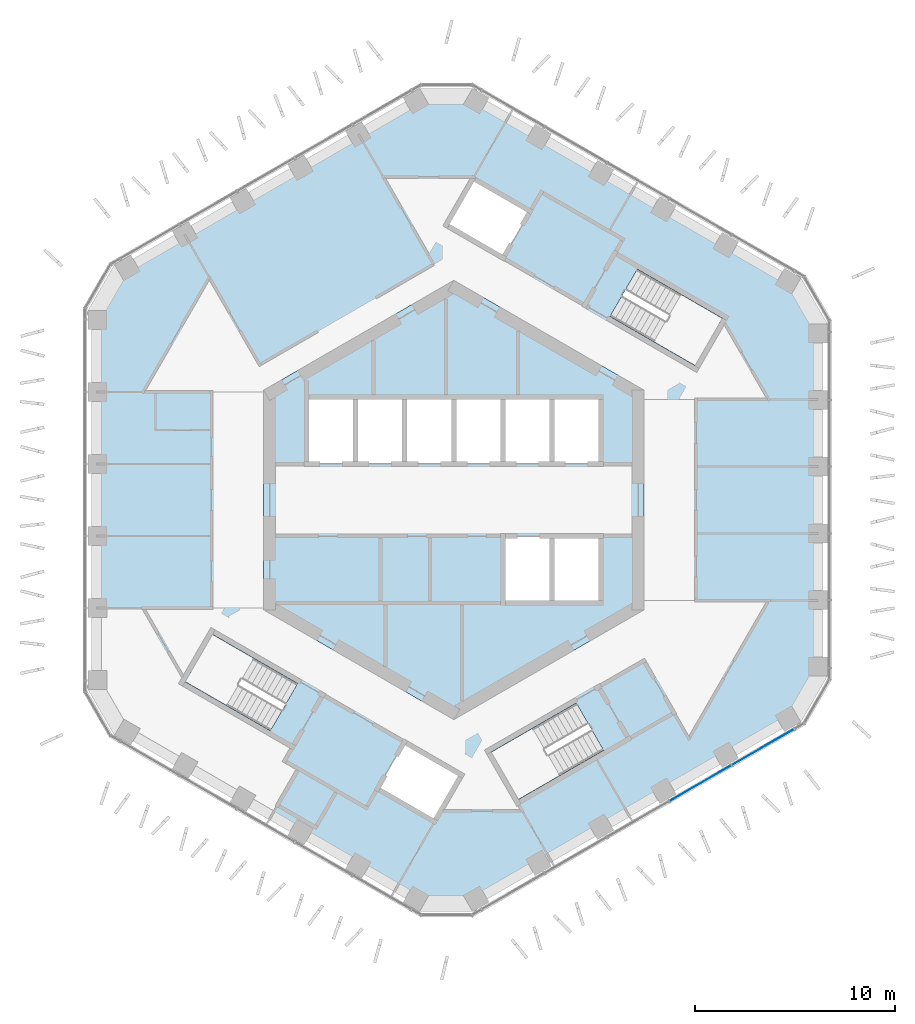
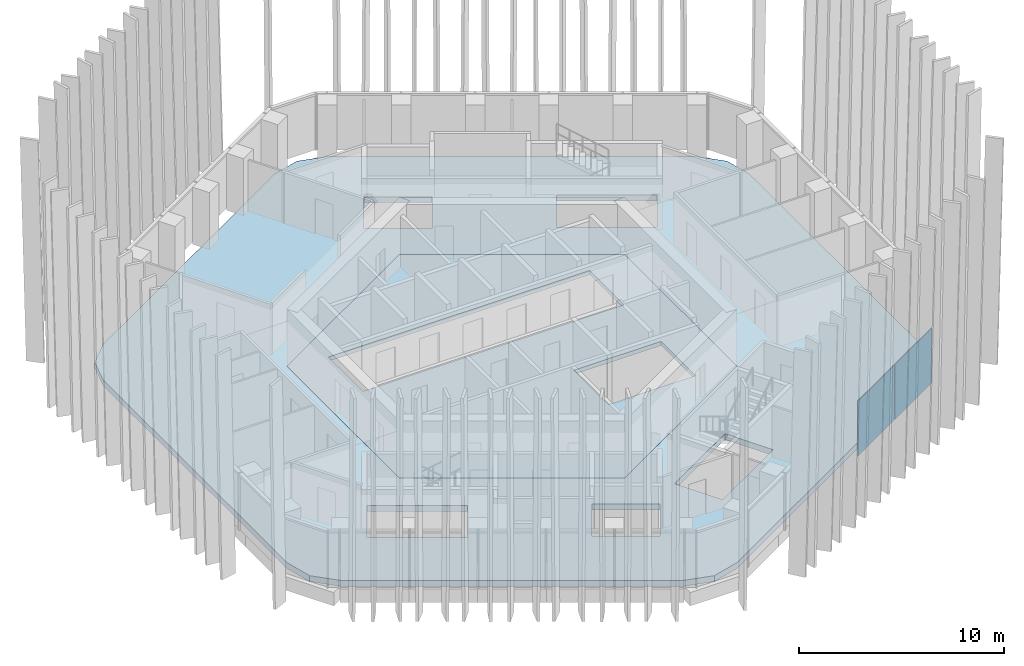
# One storey, part 10 of 21: 2 plates, 2 slabs, 1 element without a shape of its own.
"""IFC4 building model written with IfcOpenShell, lengths in metres."""

from ifc_helpers import new_model, si_unit, direction, frame, origin, origin_2d, place, context, subcontext, project, spatial, polyline, rectangle, outline, extrude, material, layer, layer_set, type_object, element, aggregate, save


model = new_model("IFC4")

# Units and contexts
model_context = context("Model", 3, precision=1e-05, world=origin(), true_north=direction((0.0, 1.0)))
body_context = subcontext(model_context, "Body", "Model", "MODEL_VIEW")
ifc_project = project(units=[si_unit("LENGTHUNIT", "METRE"), si_unit("AREAUNIT", "SQUARE_METRE"), si_unit("VOLUMEUNIT", "CUBIC_METRE"), si_unit("PLANEANGLEUNIT", "RADIAN"), si_unit("MASSUNIT", "GRAM", prefix="KILO")], contexts=[model_context])

# Site, building, storey
site_placement = place(None, origin())
site = spatial("IfcSite", under=ifc_project, at=site_placement, CompositionType="ELEMENT")
building_placement = place(site_placement, origin())
building = spatial("IfcBuilding", under=site, at=building_placement, Name="Ayvan Gate Tower", CompositionType="ELEMENT")
storey_placement = place(building_placement, frame((0.0, 0.0, 173.10009765625)))
storey = spatial("IfcBuildingStorey", under=building, at=storey_placement, Name="L46", CompositionType="ELEMENT", Elevation=173.10009765625)

# Slabs
ifc_material_1 = material(Name="Concrete C40/50", Category="concrete")
ifc_layer_1 = layer(ifc_material_1, 0.35009765625)
ifc_layer_set_1 = layer_set([ifc_layer_1], Name="Concrete C40/50")
slab_type_1 = type_object("IfcSlabType", Name="Post-tensioned flat slab 350", PredefinedType="FLOOR", material=ifc_layer_set_1)
slab_1_placement = place(storey_placement, frame((0.0, 0.0, -0.35009765625)))
element("IfcSlab", 1, at=slab_1_placement, inside=storey, type_object=slab_type_1, Name="SL-L46", PredefinedType="FLOOR", context=body_context, shape_type="SweptSolid", body=[
    extrude(outline(polyline([(1.143798828125, -19.928466796875), (-0.356201171875, -20.330322265625), (-1.856201171875, -19.928466796875), (-16.33056640625, -11.571533203125), (-17.428466796875, -10.4736328125), (-17.83056640625, -8.9736328125), (-17.83056640625, 8.9736328125), (-17.428466796875, 10.4736328125), (-16.33056640625, 11.571533203125), (-1.856201171875, 19.928466796875), (-0.356201171875, 20.330322265625), (1.143798828125, 19.928466796875), (16.6865234375, 10.954833984375), (17.78466796875, 9.856689453125), (18.1865234375, 8.356689453125), (18.1865234375, -8.356689453125), (17.78466796875, -9.856689453125), (16.6865234375, -10.954833984375), (1.143798828125, -19.928466796875)]), holes=[polyline([(12.049560546875, 6.720458984375), (13.404541015625, 9.0673828125), (9.1611328125, 11.517578125), (7.80615234375, 9.170654296875), (12.049560546875, 6.720458984375)]), polyline([(9.5, 5.48486328125), (0.0, 10.9697265625), (-9.5, 5.48486328125), (-9.5, -5.48486328125), (0.0, -10.9697265625), (9.5, -5.48486328125), (9.5, 5.48486328125)]), polyline([(1.873779296875, -12.595458984375), (3.228759765625, -14.9423828125), (7.472412109375, -12.492431640625), (6.117431640625, -10.1455078125), (1.873779296875, -12.595458984375)]), polyline([(3.822509765625, 14.420654296875), (0.964599609375, 16.07080078125), (-0.385498046875, 13.732421875), (2.472412109375, 12.08251953125), (3.822509765625, 14.420654296875)]), polyline([(-0.652587890625, -15.5302734375), (0.385498046875, -13.732421875), (-2.472412109375, -12.08251953125), (-3.822509765625, -14.420654296875), (-0.964599609375, -16.07080078125), (-0.652587890625, -15.5302734375)]), polyline([(-9.1611328125, -11.517578125), (-7.80615234375, -9.170654296875), (-12.049560546875, -6.720458984375), (-13.404541015625, -9.0673828125), (-9.1611328125, -11.517578125)])]), origin(), (0.0, 0.0, 1.0), 0.35009765625),
])
ifc_layer_2 = layer(ifc_material_1, 0.25)
ifc_layer_set_2 = layer_set([ifc_layer_2], Name="Concrete C40/50")
slab_type_2 = type_object("IfcSlabType", Name="SL-CORE-250", PredefinedType="FLOOR", material=ifc_layer_set_2)
slab_2_placement = place(storey_placement, frame((0.0, 0.0, -0.25)))
element("IfcSlab", 2, at=slab_2_placement, inside=storey, type_object=slab_type_2, Name="CS-L46", PredefinedType="FLOOR", context=body_context, shape_type="SweptSolid", body=[
    extrude(outline(polyline([(9.5, -5.48486328125), (0.0, -10.9697265625), (-9.5, -5.48486328125), (-9.5, 5.48486328125), (0.0, 10.9697265625), (9.5, 5.48486328125), (9.5, -5.48486328125)]), holes=[polyline([(-7.35009765625, 5.14990234375), (-7.35009765625, 1.800048828125), (7.35009765625, 1.800048828125), (7.35009765625, 5.14990234375), (-7.35009765625, 5.14990234375)]), polyline([(2.449951171875, -1.800048828125), (2.449951171875, -5.14990234375), (7.35009765625, -5.14990234375), (7.35009765625, -1.800048828125), (2.449951171875, -1.800048828125)])]), origin(), (0.0, 0.0, 1.0), 0.25),
])

# Curtain wall, plates
ifc_material_2 = material(Name="Bronze anodised aluminium", Category="aluminium")
ifc_layer_3 = layer(ifc_material_2, 0.199951171875)
ifc_layer_set_3 = layer_set([ifc_layer_3], Name="Bronze anodised aluminium")
curtain_wall_type = type_object("IfcCurtainWallType", Name="Stick curtain wall CW-2", PredefinedType="NOTDEFINED", material=ifc_layer_set_3)
curtain_wall_placement = place(storey_placement, origin())
curtain_wall = element("IfcCurtainWall", 3, at=curtain_wall_placement, inside=storey, type_object=curtain_wall_type, Name="Stick curtain wall CW-2 L46", PredefinedType="NOTDEFINED")
ifc_material_3 = material(Name="Clear low-iron laminated glass", Category="glass")
ifc_layer_4 = layer(ifc_material_3, 0.028076171875)
ifc_layer_set_4 = layer_set([ifc_layer_4], Name="Clear low-iron laminated glass")
plate_type = type_object("IfcPlateType", Name="Stick curtain wall CW-2 glass panel", PredefinedType="CURTAIN_PANEL", material=ifc_layer_set_4)
plate_1_placement = place(storey_placement, frame((12.317138671875, -14.141357421875, 0.0), z_axis=(0.0, 0.0, 1.0), x_axis=(0.866025403784, 0.5, 0.0)))
plate_1 = element("IfcPlate", 4, at=plate_1_placement, type_object=plate_type, Name="CW-2 glass panel 4", PredefinedType="CURTAIN_PANEL", context=body_context, shape_type="SweptSolid", body=[
    extrude(rectangle(XDim=3.527099609375, YDim=0.028076171875, at=origin_2d()), origin(), (0.0, 0.0, 1.0), 3.280029296875),
])
plate_2_placement = place(storey_placement, frame((15.457275390625, -12.32861328125, 0.0), z_axis=(0.0, 0.0, 1.0), x_axis=(0.866025403784, 0.5, 0.0)))
plate_2 = element("IfcPlate", 5, at=plate_2_placement, type_object=plate_type, Name="CW-2 glass panel 5", PredefinedType="CURTAIN_PANEL", context=body_context, shape_type="SweptSolid", body=[
    extrude(rectangle(XDim=3.58447265625, YDim=0.028076171875, at=origin_2d()), origin(), (0.0, 0.0, 1.0), 3.280029296875),
])
aggregate(curtain_wall, [plate_1, plate_2])

save(model, "model.ifc")
